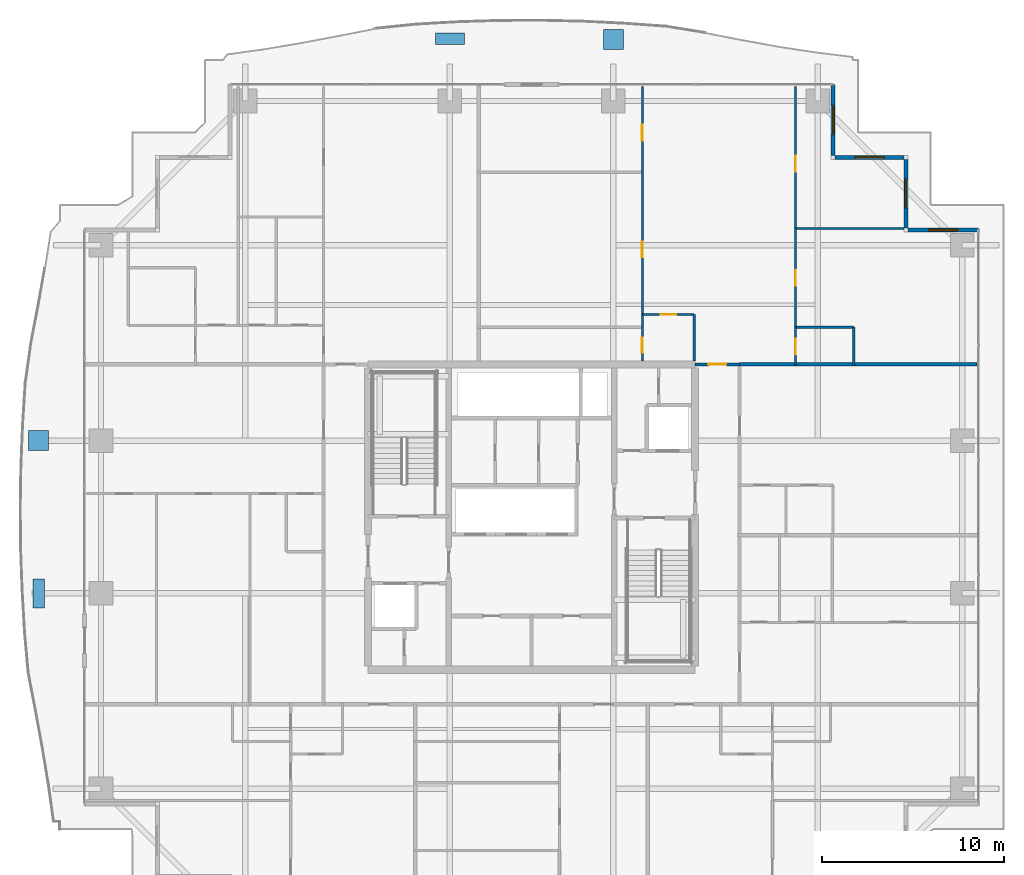
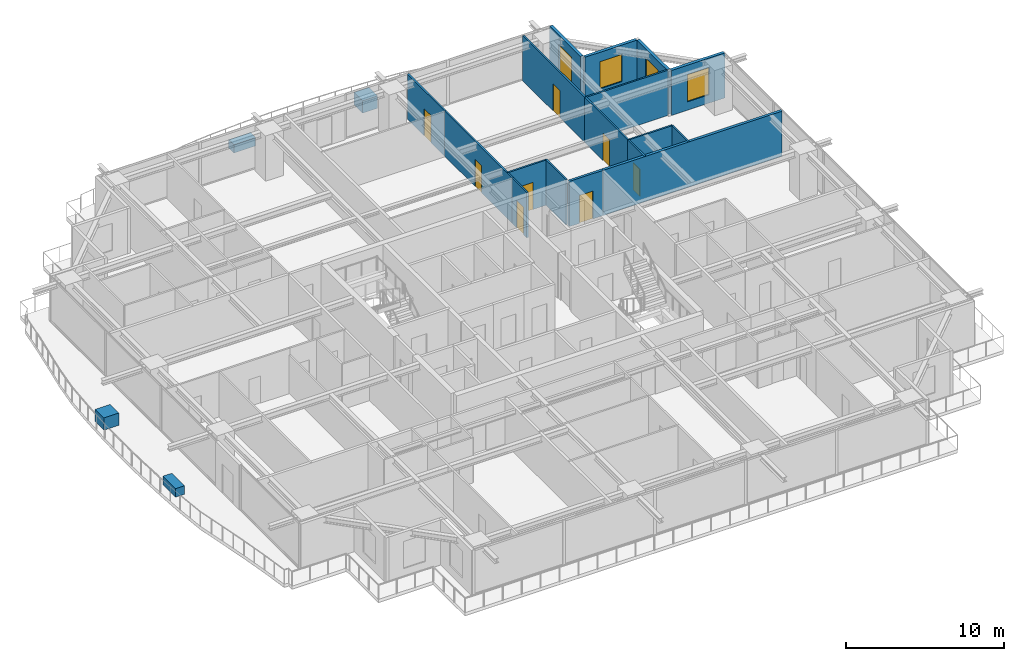
# One storey, part 31 of 37: 17 walls, 8 doors, 4 discrete accessories, 4 windows, 12 openings.
"""IFC4 building model written with IfcOpenShell, lengths in metres."""

from ifc_helpers import new_model, si_unit, direction, frame, frame_2d, origin, origin_2d, place, context, subcontext, project, spatial, rectangle, extrude, source, transform, mapped, material, layer, layer_set, type_object, element, fill, save


model = new_model("IFC4")

# Units and contexts
model_context = context("Model", 3, precision=1e-05, world=origin(), true_north=direction((0.0, 1.0)))
body_context = subcontext(model_context, "Body", "Model", "MODEL_VIEW")
ifc_project = project(units=[si_unit("LENGTHUNIT", "METRE"), si_unit("AREAUNIT", "SQUARE_METRE"), si_unit("VOLUMEUNIT", "CUBIC_METRE"), si_unit("PLANEANGLEUNIT", "RADIAN"), si_unit("MASSUNIT", "GRAM", prefix="KILO")], contexts=[model_context])

# Site, building, storey
site_placement = place(None, origin())
site = spatial("IfcSite", under=ifc_project, at=site_placement, CompositionType="ELEMENT")
building_placement = place(site_placement, origin())
building = spatial("IfcBuilding", under=site, at=building_placement, Name="Serunith Strait Residences", CompositionType="ELEMENT")
storey_placement = place(building_placement, frame((0.0, 0.0, 138.89990234375)))
storey = spatial("IfcBuildingStorey", under=building, at=storey_placement, Name="L34", CompositionType="ELEMENT", Elevation=138.89990234375)

# Wall, opening, window
ifc_material_1 = material(Name="Pale-Champagne Aluminium Insulated Panel", Category="aluminium")
ifc_layer_1 = layer(ifc_material_1, 0.219970703125, Name="Pale-Champagne Aluminium Insulated Panel")
ifc_layer_set_1 = layer_set([ifc_layer_1], Name="Pale-Champagne Aluminium Insulated Panel")
wall_type_1 = type_object("IfcWallType", Name="EW-ALUM-220", PredefinedType="ELEMENTEDWALL", material=ifc_layer_set_1)
wall_1_placement = place(storey_placement, frame((57.0, 41.0, 0.0), z_axis=(0.0, 0.0, 1.0), x_axis=(-1.0, 0.0, 0.0)))
wall_1 = element("IfcWall", 1, at=wall_1_placement, inside=storey, type_object=wall_type_1, Name="L34 Girih Serrated Corner Wall 07", PredefinedType="ELEMENTEDWALL", context=body_context, shape_type="SweptSolid", body=[
    extrude(rectangle(XDim=3.889892578125, YDim=0.219970703125, at=frame_2d((1.94482421875, 0.0))), origin(), (0.0, 0.0, 1.0), 3.47509765625),
])
opening_1_placement = place(wall_1_placement, frame((1.14501953125, 0.0, 0.64990234375)))
opening_1 = element("IfcOpeningElement", 2, at=opening_1_placement, cuts=wall_1, Name="Opening W-02", PredefinedType="OPENING", context=body_context, shape_type="SweptSolid", body=[
    extrude(rectangle(XDim=1.60009765625, YDim=2.10009765625, at=frame_2d((0.800048828125, 1.050048828125))), frame((0.0, 0.1201171875, 0.0), z_axis=(0.0, -1.0, 0.0), x_axis=(1.0, 0.0, 0.0)), (0.0, 0.0, 1.0), 0.239990234375),
])
ifc_material_2 = material(Name="Ceramic-Fritted Operable Aluminium Window Glass", Category="aluminium")
window_type = type_object("IfcWindowType", Name="WIN-C2", PartitioningType="DOUBLE_PANEL_VERTICAL", PredefinedType="WINDOW", material=ifc_material_2)
shared_shape_1 = source(origin(), body_context, "Body", "SweptSolid", [
    extrude(rectangle(XDim=1.60009765625, YDim=2.10009765625, at=frame_2d((0.800048828125, 1.050048828125))), frame((0.0, 0.030029296875, 0.0), z_axis=(0.0, -1.0, 0.0), x_axis=(1.0, 0.0, 0.0)), (0.0, 0.0, 1.0), 0.06005859375),
])
window_1_placement = place(opening_1_placement, origin())
window_1 = element("IfcWindow", 3, at=window_1_placement, inside=storey, type_object=window_type, Name="L34 Corner Operable Fritted Window 07", OverallHeight=2.10009765625, OverallWidth=1.60009765625, PartitioningType="SINGLE_PANEL", PredefinedType="WINDOW", context=body_context, shape_type="MappedRepresentation", body=[
    mapped(shared_shape_1, transform((0.0, 0.0, 0.0), scale=1.0)),
])
fill(opening_1, window_1)

wall_2_placement = place(storey_placement, frame((53.0, 41.110107421875, 0.0), z_axis=(0.0, 0.0, 1.0), x_axis=(0.0, 1.0, 0.0)))
wall_2 = element("IfcWall", 4, at=wall_2_placement, inside=storey, type_object=wall_type_1, Name="L34 Girih Serrated Corner Wall 08", PredefinedType="ELEMENTEDWALL", context=body_context, shape_type="SweptSolid", body=[
    extrude(rectangle(XDim=3.77978515625, YDim=0.219970703125, at=frame_2d((1.889892578125, 0.0))), origin(), (0.0, 0.0, 1.0), 3.47509765625),
])
opening_2_placement = place(wall_2_placement, frame((1.090087890625, 0.0, 0.64990234375)))
opening_2 = element("IfcOpeningElement", 5, at=opening_2_placement, cuts=wall_2, Name="Opening W-02", PredefinedType="OPENING", context=body_context, shape_type="SweptSolid", body=[
    extrude(rectangle(XDim=1.60009765625, YDim=2.10009765625, at=frame_2d((0.800048828125, 1.050048828125))), frame((0.0, 0.1201171875, 0.0), z_axis=(0.0, -1.0, 0.0), x_axis=(1.0, 0.0, 0.0)), (0.0, 0.0, 1.0), 0.239990234375),
])
window_2_placement = place(opening_2_placement, origin())
window_2 = element("IfcWindow", 6, at=window_2_placement, inside=storey, type_object=window_type, Name="L34 Corner Operable Fritted Window 08", OverallHeight=2.10009765625, OverallWidth=1.60009765625, PartitioningType="SINGLE_PANEL", PredefinedType="WINDOW", context=body_context, shape_type="MappedRepresentation", body=[
    mapped(shared_shape_1, transform((0.0, 0.0, 0.0), scale=1.0)),
])
fill(opening_2, window_2)

wall_3_placement = place(storey_placement, frame((52.889892578125, 45.0, 0.0), z_axis=(0.0, 0.0, 1.0), x_axis=(-1.0, 0.0, 0.0)))
wall_3 = element("IfcWall", 7, at=wall_3_placement, inside=storey, type_object=wall_type_1, Name="L34 Girih Serrated Corner Wall 09", PredefinedType="ELEMENTEDWALL", context=body_context, shape_type="SweptSolid", body=[
    extrude(rectangle(XDim=3.77978515625, YDim=0.219970703125, at=frame_2d((1.889892578125, 0.0))), origin(), (0.0, 0.0, 1.0), 3.47509765625),
])
opening_3_placement = place(wall_3_placement, frame((1.090087890625, 0.0, 0.64990234375)))
opening_3 = element("IfcOpeningElement", 8, at=opening_3_placement, cuts=wall_3, Name="Opening W-02", PredefinedType="OPENING", context=body_context, shape_type="SweptSolid", body=[
    extrude(rectangle(XDim=1.60009765625, YDim=2.10009765625, at=frame_2d((0.800048828125, 1.050048828125))), frame((0.0, 0.1201171875, 0.0), z_axis=(0.0, -1.0, 0.0), x_axis=(1.0, 0.0, 0.0)), (0.0, 0.0, 1.0), 0.239990234375),
])
window_3_placement = place(opening_3_placement, origin())
window_3 = element("IfcWindow", 9, at=window_3_placement, inside=storey, type_object=window_type, Name="L34 Corner Operable Fritted Window 09", OverallHeight=2.10009765625, OverallWidth=1.60009765625, PartitioningType="SINGLE_PANEL", PredefinedType="WINDOW", context=body_context, shape_type="MappedRepresentation", body=[
    mapped(shared_shape_1, transform((0.0, 0.0, 0.0), scale=1.0)),
])
fill(opening_3, window_3)

wall_4_placement = place(storey_placement, frame((49.0, 45.110107421875, 0.0), z_axis=(0.0, 0.0, 1.0), x_axis=(0.0, 1.0, 0.0)))
wall_4 = element("IfcWall", 10, at=wall_4_placement, inside=storey, type_object=wall_type_1, Name="L34 Girih Serrated Corner Wall 10", PredefinedType="ELEMENTEDWALL", context=body_context, shape_type="SweptSolid", body=[
    extrude(rectangle(XDim=3.889892578125, YDim=0.219970703125, at=frame_2d((1.94482421875, 0.0))), origin(), (0.0, 0.0, 1.0), 3.47509765625),
])
opening_4_placement = place(wall_4_placement, frame((1.14501953125, 0.0, 0.64990234375)))
opening_4 = element("IfcOpeningElement", 11, at=opening_4_placement, cuts=wall_4, Name="Opening W-02", PredefinedType="OPENING", context=body_context, shape_type="SweptSolid", body=[
    extrude(rectangle(XDim=1.60009765625, YDim=2.10009765625, at=frame_2d((0.800048828125, 1.050048828125))), frame((0.0, 0.1201171875, 0.0), z_axis=(0.0, -1.0, 0.0), x_axis=(1.0, 0.0, 0.0)), (0.0, 0.0, 1.0), 0.239990234375),
])
window_4_placement = place(opening_4_placement, origin())
window_4 = element("IfcWindow", 12, at=window_4_placement, inside=storey, type_object=window_type, Name="L34 Corner Operable Fritted Window 10", OverallHeight=2.10009765625, OverallWidth=1.60009765625, PartitioningType="SINGLE_PANEL", PredefinedType="WINDOW", context=body_context, shape_type="MappedRepresentation", body=[
    mapped(shared_shape_1, transform((0.0, 0.0, 0.0), scale=1.0)),
])
fill(opening_4, window_4)

# Wall, opening, door
ifc_material_3 = material(Name="Fire-rated acoustic gypsum partition")
ifc_layer_2 = layer(ifc_material_3, 0.179931640625, Name="Fire-rated acoustic gypsum partition")
ifc_layer_set_2 = layer_set([ifc_layer_2], Name="Fire-rated acoustic gypsum partition")
wall_type_2 = type_object("IfcWallType", Name="IW-CORR-180", PredefinedType="PARTITIONING", material=ifc_layer_set_2)
wall_5_placement = place(storey_placement, frame((41.402099609375, 33.60009765625, 0.0), z_axis=(0.0, 0.0, 1.0), x_axis=(1.0, 0.0, 0.0)))
wall_5 = element("IfcWall", 13, at=wall_5_placement, inside=storey, type_object=wall_type_2, Name="L34 Partition Wall 032", PredefinedType="PARTITIONING", context=body_context, shape_type="SweptSolid", body=[
    extrude(rectangle(XDim=2.44580078125, YDim=0.179931640625, at=frame_2d((1.222900390625, 0.0))), origin(), (0.0, 0.0, 1.0), 3.489990234375),
])
opening_5_placement = place(wall_5_placement, frame((0.722900390625, 0.0, 0.0)))
opening_5 = element("IfcOpeningElement", 14, at=opening_5_placement, cuts=wall_5, Name="Opening D-APT1000", PredefinedType="OPENING", context=body_context, shape_type="SweptSolid", body=[
    extrude(rectangle(XDim=1.0, YDim=2.14990234375, at=frame_2d((0.5, 1.074951171875))), frame((0.0, 0.10009765625, 0.0), z_axis=(0.0, -1.0, 0.0), x_axis=(1.0, 0.0, 0.0)), (0.0, 0.0, 1.0), 0.199951171875),
])
ifc_material_4 = material(Name="Solid timber engineered fire door", Category="wood")
door_type_1 = type_object("IfcDoorType", Name="ID-APT-1000", OperationType="NOTDEFINED", PredefinedType="DOOR", material=ifc_material_4)
shared_shape_2 = source(origin(), body_context, "Body", "SweptSolid", [
    extrude(rectangle(XDim=1.0, YDim=2.14990234375, at=frame_2d((0.5, 1.074951171875))), frame((0.0, 0.02490234375, 0.0), z_axis=(0.0, -1.0, 0.0), x_axis=(1.0, 0.0, 0.0)), (0.0, 0.0, 1.0), 0.050048828125),
])
door_1_placement = place(opening_5_placement, origin())
door_1 = element("IfcDoor", 15, at=door_1_placement, inside=storey, type_object=door_type_1, Name="L34 Unit 05 Entrance Door", OperationType="SINGLE_SWING_LEFT", OverallHeight=2.14990234375, OverallWidth=1.0, PredefinedType="DOOR", context=body_context, shape_type="MappedRepresentation", body=[
    mapped(shared_shape_2, transform((0.0, 0.0, 0.0), scale=1.0)),
])
fill(opening_5, door_1)

ifc_material_5 = material(Name="Lightweight steel-stud gypsum partition", Category="steel")
ifc_layer_3 = layer(ifc_material_5, 0.1201171875, Name="Lightweight steel-stud gypsum partition")
ifc_layer_set_3 = layer_set([ifc_layer_3], Name="Lightweight steel-stud gypsum partition")
wall_type_3 = type_object("IfcWallType", Name="IW-PART-120", PredefinedType="PARTITIONING", material=ifc_layer_set_3)
wall_6_placement = place(storey_placement, frame((38.5, 36.35009765625, 0.0), z_axis=(0.0, 0.0, 1.0), x_axis=(1.0, 0.0, 0.0)))
wall_6 = element("IfcWall", 16, at=wall_6_placement, inside=storey, type_object=wall_type_3, Name="L34 Partition Wall 070", PredefinedType="PARTITIONING", context=body_context, shape_type="SweptSolid", body=[
    extrude(rectangle(XDim=2.85009765625, YDim=0.1201171875, at=frame_2d((1.425048828125, 0.0))), origin(), (0.0, 0.0, 1.0), 3.489990234375),
])
opening_6_placement = place(wall_6_placement, frame((1.0, 0.0, 0.0)))
opening_6 = element("IfcOpeningElement", 17, at=opening_6_placement, cuts=wall_6, Name="Opening D-RM850", PredefinedType="OPENING", context=body_context, shape_type="SweptSolid", body=[
    extrude(rectangle(XDim=0.85009765625, YDim=2.10009765625, at=frame_2d((0.425048828125, 1.050048828125))), frame((0.0, 0.070068359375, 0.0), z_axis=(0.0, -1.0, 0.0), x_axis=(1.0, 0.0, 0.0)), (0.0, 0.0, 1.0), 0.14013671875),
])
ifc_material_6 = material(Name="Engineered timber flush study and kitchen door", Category="wood")
door_type_2 = type_object("IfcDoorType", Name="ID-ROOM-850", OperationType="NOTDEFINED", PredefinedType="DOOR", material=ifc_material_6)
shared_shape_3 = source(origin(), body_context, "Body", "SweptSolid", [
    extrude(rectangle(XDim=0.85009765625, YDim=2.10009765625, at=frame_2d((0.425048828125, 1.050048828125))), frame((0.0, 0.02490234375, 0.0), z_axis=(0.0, -1.0, 0.0), x_axis=(1.0, 0.0, 0.0)), (0.0, 0.0, 1.0), 0.050048828125),
])
door_2_placement = place(opening_6_placement, origin())
door_2 = element("IfcDoor", 18, at=door_2_placement, inside=storey, type_object=door_type_2, Name="L34 Kitchen 3405 Door", OperationType="SINGLE_SWING_LEFT", OverallHeight=2.10009765625, OverallWidth=0.85009765625, PredefinedType="DOOR", context=body_context, shape_type="MappedRepresentation", body=[
    mapped(shared_shape_3, transform((0.0, 0.0, 0.0), scale=1.0)),
])
fill(opening_6, door_2)

# Wall
wall_7_placement = place(storey_placement, frame((41.35009765625, 36.35009765625, 0.0), z_axis=(0.0, 0.0, 1.0), x_axis=(0.0, -1.0, 0.0)))
element("IfcWall", 19, at=wall_7_placement, inside=storey, type_object=wall_type_3, Name="L34 Partition Wall 071", PredefinedType="PARTITIONING", context=body_context, shape_type="SweptSolid", body=[
    extrude(rectangle(XDim=2.550048828125, YDim=0.1201171875, at=frame_2d((1.27490234375, 0.0))), origin(), (0.0, 0.0, 1.0), 3.489990234375),
])

# Wall, opening, door
wall_8_placement = place(storey_placement, frame((38.5, 48.905029296875, 0.0), z_axis=(0.0, 0.0, 1.0), x_axis=(0.0, -1.0, 0.0)))
wall_8 = element("IfcWall", 20, at=wall_8_placement, inside=storey, type_object=wall_type_3, Name="L34 Partition Wall 072", PredefinedType="PARTITIONING", context=body_context, shape_type="SweptSolid", body=[
    extrude(rectangle(XDim=4.72509765625, YDim=0.1201171875, at=frame_2d((2.362548828125, 0.0))), origin(), (0.0, 0.0, 1.0), 3.489990234375),
])
opening_7_placement = place(wall_8_placement, frame((2.10400390625, 0.0, 0.0)))
opening_7 = element("IfcOpeningElement", 21, at=opening_7_placement, cuts=wall_8, Name="Opening D-RM900", PredefinedType="OPENING", context=body_context, shape_type="SweptSolid", body=[
    extrude(rectangle(XDim=0.89990234375, YDim=2.10009765625, at=frame_2d((0.449951171875, 1.050048828125))), frame((0.0, 0.070068359375, 0.0), z_axis=(0.0, -1.0, 0.0), x_axis=(1.0, 0.0, 0.0)), (0.0, 0.0, 1.0), 0.14013671875),
])
ifc_material_7 = material(Name="Engineered timber flush bedroom door", Category="wood")
door_type_3 = type_object("IfcDoorType", Name="ID-ROOM-900", OperationType="NOTDEFINED", PredefinedType="DOOR", material=ifc_material_7)
shared_shape_4 = source(origin(), body_context, "Body", "SweptSolid", [
    extrude(rectangle(XDim=0.89990234375, YDim=2.10009765625, at=frame_2d((0.449951171875, 1.050048828125))), frame((0.0, 0.02490234375, 0.0), z_axis=(0.0, -1.0, 0.0), x_axis=(1.0, 0.0, 0.0)), (0.0, 0.0, 1.0), 0.050048828125),
])
door_3_placement = place(opening_7_placement, origin())
door_3 = element("IfcDoor", 22, at=door_3_placement, inside=storey, type_object=door_type_3, Name="L34 Master Bedroom 1 3405 Door", OperationType="SINGLE_SWING_RIGHT", OverallHeight=2.10009765625, OverallWidth=0.89990234375, PredefinedType="DOOR", context=body_context, shape_type="MappedRepresentation", body=[
    mapped(shared_shape_4, transform((0.0, 0.0, 0.0), scale=1.0)),
])
fill(opening_7, door_3)

wall_9_placement = place(storey_placement, frame((38.5, 44.177978515625, 0.0), z_axis=(0.0, 0.0, 1.0), x_axis=(0.0, -1.0, 0.0)))
wall_9 = element("IfcWall", 23, at=wall_9_placement, inside=storey, type_object=wall_type_3, Name="L34 Partition Wall 075", PredefinedType="PARTITIONING", context=body_context, shape_type="SweptSolid", body=[
    extrude(rectangle(XDim=8.528076171875, YDim=0.1201171875, at=frame_2d((4.26416015625, 0.0))), origin(), (0.0, 0.0, 1.0), 3.489990234375),
])
opening_8_placement = place(wall_9_placement, frame((3.839111328125, 0.0, 0.0)))
opening_8 = element("IfcOpeningElement", 24, at=opening_8_placement, cuts=wall_9, Name="Opening D-RM850", PredefinedType="OPENING", context=body_context, shape_type="SweptSolid", body=[
    extrude(rectangle(XDim=0.85009765625, YDim=2.10009765625, at=frame_2d((0.425048828125, 1.050048828125))), frame((0.0, 0.070068359375, 0.0), z_axis=(0.0, -1.0, 0.0), x_axis=(1.0, 0.0, 0.0)), (0.0, 0.0, 1.0), 0.14013671875),
])
door_4_placement = place(opening_8_placement, origin())
door_4 = element("IfcDoor", 25, at=door_4_placement, inside=storey, type_object=door_type_2, Name="L34 Walk-in Wardrobe 3405 Door", OperationType="SINGLE_SWING_LEFT", OverallHeight=2.10009765625, OverallWidth=0.85009765625, PredefinedType="DOOR", context=body_context, shape_type="MappedRepresentation", body=[
    mapped(shared_shape_3, transform((0.0, 0.0, 0.0), scale=1.0)),
])
fill(opening_8, door_4)

wall_10_placement = place(storey_placement, frame((38.5, 35.64794921875, 0.0), z_axis=(0.0, 0.0, 1.0), x_axis=(0.0, -1.0, 0.0)))
wall_10 = element("IfcWall", 26, at=wall_10_placement, inside=storey, type_object=wall_type_3, Name="L34 Partition Wall 076", PredefinedType="PARTITIONING", context=body_context, shape_type="SweptSolid", body=[
    extrude(rectangle(XDim=1.847900390625, YDim=0.1201171875, at=frame_2d((0.923828125, 0.0))), origin(), (0.0, 0.0, 1.0), 3.489990234375),
])
opening_9_placement = place(wall_10_placement, frame((0.569091796875, 0.0, 0.0)))
opening_9 = element("IfcOpeningElement", 27, at=opening_9_placement, cuts=wall_10, Name="Opening D-BTH850", PredefinedType="OPENING", context=body_context, shape_type="SweptSolid", body=[
    extrude(rectangle(XDim=0.85009765625, YDim=2.10009765625, at=frame_2d((0.425048828125, 1.050048828125))), frame((0.0, 0.070068359375, 0.0), z_axis=(0.0, -1.0, 0.0), x_axis=(1.0, 0.0, 0.0)), (0.0, 0.0, 1.0), 0.14013671875),
])
ifc_material_8 = material(Name="Moisture-resistant timber bathroom door", Category="wood")
door_type_4 = type_object("IfcDoorType", Name="ID-BATH-850", OperationType="NOTDEFINED", PredefinedType="DOOR", material=ifc_material_8)
door_5_placement = place(opening_9_placement, origin())
door_5 = element("IfcDoor", 28, at=door_5_placement, inside=storey, type_object=door_type_4, Name="L34 Bathroom 3405 Door", OperationType="SINGLE_SWING_RIGHT", OverallHeight=2.10009765625, OverallWidth=0.85009765625, PredefinedType="DOOR", context=body_context, shape_type="MappedRepresentation", body=[
    mapped(shared_shape_3, transform((0.0, 0.0, 0.0), scale=1.0)),
])
fill(opening_9, door_5)

wall_11_placement = place(storey_placement, frame((46.929931640625, 48.905029296875, 0.0), z_axis=(0.0, 0.0, 1.0), x_axis=(0.0, -1.0, 0.0)))
wall_11 = element("IfcWall", 29, at=wall_11_placement, inside=storey, type_object=wall_type_3, Name="L34 Partition Wall 077", PredefinedType="PARTITIONING", context=body_context, shape_type="SweptSolid", body=[
    extrude(rectangle(XDim=7.830078125, YDim=0.1201171875, at=frame_2d((3.9150390625, 0.0))), origin(), (0.0, 0.0, 1.0), 3.489990234375),
])
opening_10_placement = place(wall_11_placement, frame((3.81103515625, 0.0, 0.0)))
opening_10 = element("IfcOpeningElement", 30, at=opening_10_placement, cuts=wall_11, Name="Opening D-RM900", PredefinedType="OPENING", context=body_context, shape_type="SweptSolid", body=[
    extrude(rectangle(XDim=0.89990234375, YDim=2.10009765625, at=frame_2d((0.449951171875, 1.050048828125))), frame((0.0, 0.070068359375, 0.0), z_axis=(0.0, -1.0, 0.0), x_axis=(1.0, 0.0, 0.0)), (0.0, 0.0, 1.0), 0.14013671875),
])
door_6_placement = place(opening_10_placement, origin())
door_6 = element("IfcDoor", 31, at=door_6_placement, inside=storey, type_object=door_type_3, Name="L34 Bedroom 2 3405 Door", OperationType="SINGLE_SWING_LEFT", OverallHeight=2.10009765625, OverallWidth=0.89990234375, PredefinedType="DOOR", context=body_context, shape_type="MappedRepresentation", body=[
    mapped(shared_shape_4, transform((0.0, 0.0, 0.0), scale=1.0)),
])
fill(opening_10, door_6)

# Walls
wall_12_placement = place(storey_placement, frame((46.929931640625, 41.074951171875, 0.0), z_axis=(0.0, 0.0, 1.0), x_axis=(1.0, 0.0, 0.0)))
element("IfcWall", 32, at=wall_12_placement, inside=storey, type_object=wall_type_3, Name="L34 Partition Wall 078", PredefinedType="PARTITIONING", context=body_context, shape_type="SweptSolid", body=[
    extrude(rectangle(XDim=5.97509765625, YDim=0.1201171875, at=frame_2d((2.987548828125, 0.0))), origin(), (0.0, 0.0, 1.0), 3.489990234375),
])
wall_13_placement = place(storey_placement, frame((46.929931640625, 35.64990234375, 0.0), z_axis=(0.0, 0.0, 1.0), x_axis=(1.0, 0.0, 0.0)))
element("IfcWall", 33, at=wall_13_placement, inside=storey, type_object=wall_type_3, Name="L34 Partition Wall 079", PredefinedType="PARTITIONING", context=body_context, shape_type="SweptSolid", body=[
    extrude(rectangle(XDim=3.199951171875, YDim=0.1201171875, at=frame_2d((1.60009765625, 0.0))), origin(), (0.0, 0.0, 1.0), 3.489990234375),
])
wall_14_placement = place(storey_placement, frame((50.1298828125, 35.64990234375, 0.0), z_axis=(0.0, 0.0, 1.0), x_axis=(0.0, -1.0, 0.0)))
element("IfcWall", 34, at=wall_14_placement, inside=storey, type_object=wall_type_3, Name="L34 Partition Wall 080", PredefinedType="PARTITIONING", context=body_context, shape_type="SweptSolid", body=[
    extrude(rectangle(XDim=2.10986328125, YDim=0.1201171875, at=frame_2d((1.054931640625, 0.0))), origin(), (0.0, 0.0, 1.0), 3.489990234375),
])

# Wall, opening, door
wall_15_placement = place(storey_placement, frame((46.929931640625, 41.072998046875, 0.0), z_axis=(0.0, 0.0, 1.0), x_axis=(0.0, -1.0, 0.0)))
wall_15 = element("IfcWall", 35, at=wall_15_placement, inside=storey, type_object=wall_type_3, Name="L34 Partition Wall 081", PredefinedType="PARTITIONING", context=body_context, shape_type="SweptSolid", body=[
    extrude(rectangle(XDim=5.423095703125, YDim=0.1201171875, at=frame_2d((2.71142578125, 0.0))), origin(), (0.0, 0.0, 1.0), 3.489990234375),
])
opening_11_placement = place(wall_15_placement, frame((2.287109375, 0.0, 0.0)))
opening_11 = element("IfcOpeningElement", 36, at=opening_11_placement, cuts=wall_15, Name="Opening D-RM850", PredefinedType="OPENING", context=body_context, shape_type="SweptSolid", body=[
    extrude(rectangle(XDim=0.85009765625, YDim=2.10009765625, at=frame_2d((0.425048828125, 1.050048828125))), frame((0.0, 0.070068359375, 0.0), z_axis=(0.0, -1.0, 0.0), x_axis=(1.0, 0.0, 0.0)), (0.0, 0.0, 1.0), 0.14013671875),
])
door_7_placement = place(opening_11_placement, origin())
door_7 = element("IfcDoor", 37, at=door_7_placement, inside=storey, type_object=door_type_2, Name="L34 Walk-in Wardrobe 3405 Door", OperationType="SINGLE_SWING_RIGHT", OverallHeight=2.10009765625, OverallWidth=0.85009765625, PredefinedType="DOOR", context=body_context, shape_type="MappedRepresentation", body=[
    mapped(shared_shape_3, transform((0.0, 0.0, 0.0), scale=1.0)),
])
fill(opening_11, door_7)

wall_16_placement = place(storey_placement, frame((46.929931640625, 35.64794921875, 0.0), z_axis=(0.0, 0.0, 1.0), x_axis=(0.0, -1.0, 0.0)))
wall_16 = element("IfcWall", 38, at=wall_16_placement, inside=storey, type_object=wall_type_3, Name="L34 Partition Wall 082", PredefinedType="PARTITIONING", context=body_context, shape_type="SweptSolid", body=[
    extrude(rectangle(XDim=2.10791015625, YDim=0.1201171875, at=frame_2d((1.053955078125, 0.0))), origin(), (0.0, 0.0, 1.0), 3.489990234375),
])
opening_12_placement = place(wall_16_placement, frame((0.62890625, 0.0, 0.0)))
opening_12 = element("IfcOpeningElement", 39, at=opening_12_placement, cuts=wall_16, Name="Opening D-BTH850", PredefinedType="OPENING", context=body_context, shape_type="SweptSolid", body=[
    extrude(rectangle(XDim=0.85009765625, YDim=2.10009765625, at=frame_2d((0.425048828125, 1.050048828125))), frame((0.0, 0.070068359375, 0.0), z_axis=(0.0, -1.0, 0.0), x_axis=(1.0, 0.0, 0.0)), (0.0, 0.0, 1.0), 0.14013671875),
])
door_8_placement = place(opening_12_placement, origin())
door_8 = element("IfcDoor", 40, at=door_8_placement, inside=storey, type_object=door_type_4, Name="L34 Bathroom 3405 Door", OperationType="SINGLE_SWING_LEFT", OverallHeight=2.10009765625, OverallWidth=0.85009765625, PredefinedType="DOOR", context=body_context, shape_type="MappedRepresentation", body=[
    mapped(shared_shape_3, transform((0.0, 0.0, 0.0), scale=1.0)),
])
fill(opening_12, door_8)

# Wall
ifc_material_9 = material(Name="Twin-stud acoustic gypsum board partition")
ifc_layer_4 = layer(ifc_material_9, 0.199951171875, Name="Twin-stud acoustic gypsum board partition")
ifc_layer_set_4 = layer_set([ifc_layer_4], Name="Twin-stud acoustic gypsum board partition")
wall_type_4 = type_object("IfcWallType", Name="IW-PARTY-200", PredefinedType="PARTITIONING", material=ifc_layer_set_4)
wall_17_placement = place(storey_placement, frame((43.85009765625, 33.60009765625, 0.0), z_axis=(0.0, 0.0, 1.0), x_axis=(1.0, 0.0, 0.0)))
element("IfcWall", 41, at=wall_17_placement, inside=storey, type_object=wall_type_4, Name="L34 Partition Wall 027", PredefinedType="PARTITIONING", context=body_context, shape_type="SweptSolid", body=[
    extrude(rectangle(XDim=13.06787109375, YDim=0.199951171875, at=frame_2d((6.533935546875, 0.0))), origin(), (0.0, 0.0, 1.0), 3.489990234375),
])

# Discrete accessories
ifc_material_10 = material(Name="GFRC Root-Anchored Structural Planter")
discrete_accessory_type_1 = type_object("IfcDiscreteAccessoryType", Name="ACC-PLANTER-TREE", PredefinedType="USERDEFINED", material=ifc_material_10)
shared_shape_5 = source(origin(), body_context, "Body", "SweptSolid", [
    extrude(rectangle(XDim=1.10009765625, YDim=1.10009765625, at=origin_2d()), origin(), (0.0, 0.0, 1.0), 0.949951171875),
])
for number, where, z_axis, x_axis, name in (
    (42, (36.89990234375, 51.497802734375, -0.0498046875), (0.0, 0.0, 1.0), (-1.0, 0.0, 0.0), "L34 Vertical-Forest Tree Planter 07"),
    (43, (5.2587890625, 29.39990234375, -0.0498046875), (0.0, 0.0, 1.0), (0.0, -1.0, 0.0), "L34 Vertical-Forest Tree Planter 15"),
):
    element("IfcDiscreteAccessory", number, at=place(storey_placement, frame(where, z_axis=z_axis, x_axis=x_axis)), inside=storey, type_object=discrete_accessory_type_1, Name=name, ObjectType="PLANTER", PredefinedType="USERDEFINED", context=body_context, shape_type="MappedRepresentation", body=[
        mapped(shared_shape_5, transform((0.0, 0.0, 0.0), scale=1.0)),
    ])
ifc_material_11 = material(Name="GFRC Irrigated Shrub Trough Planter")
discrete_accessory_type_2 = type_object("IfcDiscreteAccessoryType", Name="ACC-PLANTER-SHRUB", PredefinedType="USERDEFINED", material=ifc_material_11)
shared_shape_6 = source(origin(), body_context, "Body", "SweptSolid", [
    extrude(rectangle(XDim=1.60009765625, YDim=0.64990234375, at=origin_2d()), origin(), (0.0, 0.0, 1.0), 0.64990234375),
])
for number, where, z_axis, x_axis, name in (
    (44, (27.89990234375, 51.526611328125, -0.0498046875), (0.0, 0.0, 1.0), (-1.0, 0.0, 0.0), "L34 Vertical-Forest Shrub Planter 06"),
    (45, (5.2783203125, 21.0, -0.0498046875), (0.0, 0.0, 1.0), (0.0, -1.0, 0.0), "L34 Vertical-Forest Shrub Planter 14"),
):
    element("IfcDiscreteAccessory", number, at=place(storey_placement, frame(where, z_axis=z_axis, x_axis=x_axis)), inside=storey, type_object=discrete_accessory_type_2, Name=name, ObjectType="PLANTER", PredefinedType="USERDEFINED", context=body_context, shape_type="MappedRepresentation", body=[
        mapped(shared_shape_6, transform((0.0, 0.0, 0.0), scale=1.0)),
    ])

save(model, "model.ifc")
